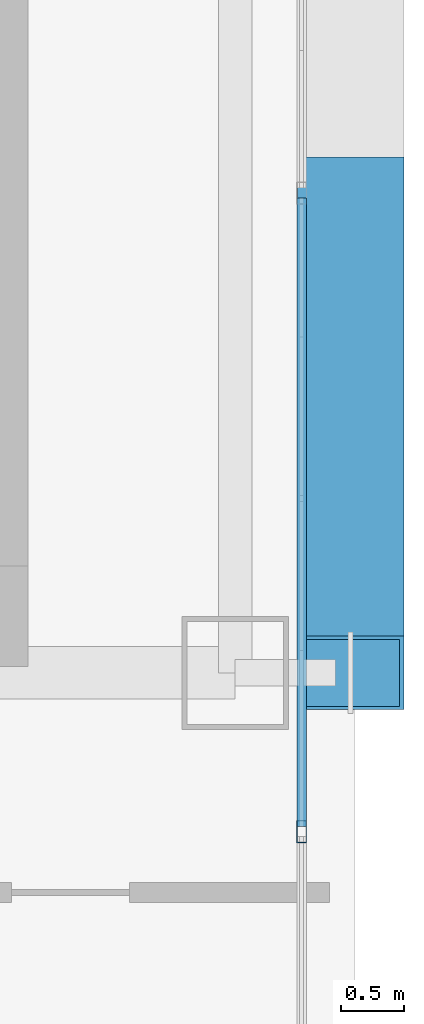
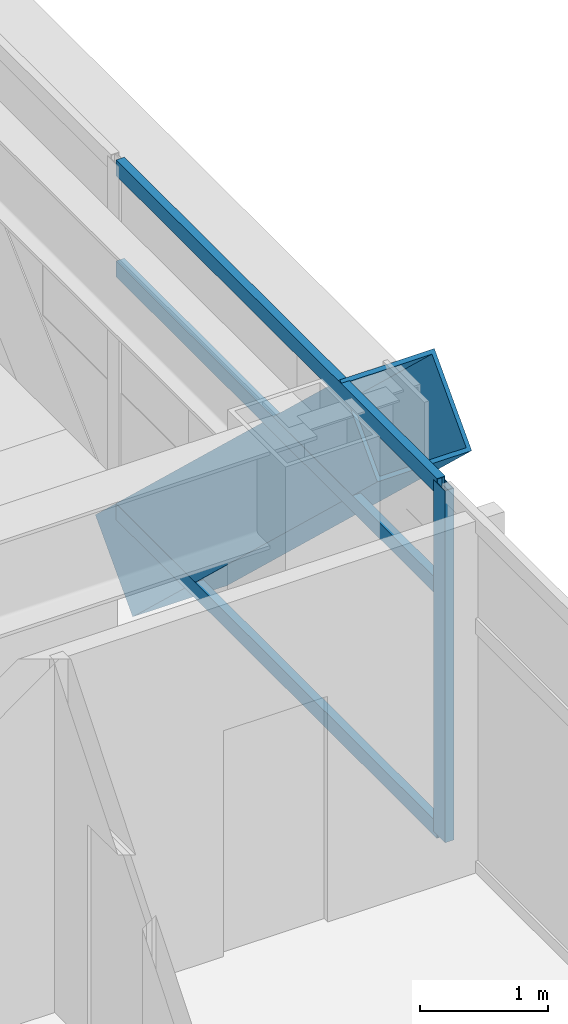
# One storey, part 14 of 41: 5 members, 1 element without a shape of its own.
"""IFC4 building model written with IfcOpenShell, lengths in metres."""

from ifc_helpers import new_model, si_unit, direction, frame, origin, origin_2d, place, context, subcontext, project, spatial, hollow_rectangle, extrude, source, transform, mapped, material, layer, layer_set, material_profile, profile_set, type_object, element, aggregate, save


model = new_model("IFC4")

# Units and contexts
model_context = context("Model", 3, precision=1e-05, world=origin(), true_north=direction((0.0, 1.0)))
body_context = subcontext(model_context, "Body", "Model", "MODEL_VIEW")
ifc_project = project(units=[si_unit("LENGTHUNIT", "METRE"), si_unit("AREAUNIT", "SQUARE_METRE"), si_unit("VOLUMEUNIT", "CUBIC_METRE"), si_unit("PLANEANGLEUNIT", "RADIAN"), si_unit("MASSUNIT", "GRAM", prefix="KILO")], contexts=[model_context])

# Site, building, storey
site_placement = place(None, origin())
site = spatial("IfcSite", under=ifc_project, at=site_placement, CompositionType="ELEMENT")
building_placement = place(site_placement, origin())
building = spatial("IfcBuilding", under=site, at=building_placement, Name="Ocotamira Hotel", CompositionType="ELEMENT")
storey_placement = place(building_placement, frame((0.0, 0.0, 38.39990234375)))
storey = spatial("IfcBuildingStorey", under=building, at=storey_placement, Name="L08", CompositionType="ELEMENT", Elevation=38.39990234375)

# Member
ifc_material_1 = material(Name="Pale-metal coated steel ASTM A913 Grade 65", Category="steel")
ifc_material_profile_1 = material_profile(ifc_material_1, hollow_rectangle(XDim=0.85009765625, YDim=0.85009765625, WallThickness=0.035888671875, at=origin_2d()), Name="BOX850X850X36")
ifc_profile_set_1 = profile_set([ifc_material_profile_1], Name="Pale-metal coated steel ASTM A913 Grade 65")
member_type_1 = type_object("IfcMemberType", Name="MEM-EXO-BOX850", PredefinedType="BRACE", material=ifc_profile_set_1)
shared_shape_1 = source(origin(), body_context, "Body", "SweptSolid", [
    extrude(hollow_rectangle(XDim=0.85009765625, YDim=0.85009765625, WallThickness=0.035888671875, at=origin_2d()), origin(), (0.0, 0.0, 1.0), 5.24658203125),
])
member_1_placement = place(storey_placement, frame((55.969970703125, 18.36669921875, -0.5), z_axis=(0.0, -0.727442733726, 0.686168397078), x_axis=(1.0, 0.0, 0.0)))
element("IfcMember", 1, at=member_1_placement, inside=storey, type_object=member_type_1, Name="L08 Exoskeleton Diagrid E0.1", PredefinedType="BRACE", context=body_context, shape_type="MappedRepresentation", body=[
    mapped(shared_shape_1, transform((0.0, 0.0, 0.0), scale=1.0)),
])

# Curtain wall, members
ifc_material_2 = material(Name="Anodised pale-metal aluminium and solar glass", Category="aluminium")
ifc_layer = layer(ifc_material_2, 0.179931640625)
ifc_layer_set = layer_set([ifc_layer], Name="Anodised pale-metal aluminium and solar glass")
curtain_wall_type = type_object("IfcCurtainWallType", Name="CW-SYS2-Z1", PredefinedType="NOTDEFINED", material=ifc_layer_set)
curtain_wall_placement = place(storey_placement, origin())
curtain_wall = element("IfcCurtainWall", 2, at=curtain_wall_placement, inside=storey, type_object=curtain_wall_type, Name="L08 Curtain Wall CW-2 CW-L08-E", PredefinedType="NOTDEFINED")
ifc_material_3 = material(Name="Anodised pale-metal aluminium 6063-T6", Category="aluminium")
ifc_material_profile_2 = material_profile(ifc_material_3, hollow_rectangle(XDim=0.074951171875, YDim=0.14990234375, WallThickness=0.006103515625, at=origin_2d()), Name="HSS150X75X6")
ifc_profile_set_2 = profile_set([ifc_material_profile_2], Name="Anodised pale-metal aluminium 6063-T6")
member_type_2 = type_object("IfcMemberType", Name="CWT-150X75", PredefinedType="USERDEFINED", material=ifc_profile_set_2)
shared_shape_2 = source(origin(), body_context, "Body", "SweptSolid", [
    extrude(hollow_rectangle(XDim=0.074951171875, YDim=0.14990234375, WallThickness=0.006103515625, at=origin_2d()), origin(), (0.0, 0.0, 1.0), 5.005859375),
])
member_2_placement = place(storey_placement, frame((55.580078125, 13.32568359375, 0.03759765625), z_axis=(0.0, 1.0, 0.0), x_axis=(-1.0, 0.0, 0.0)))
member_2 = element("IfcMember", 3, at=member_2_placement, type_object=member_type_2, Name="CW-2 transom 2.1", ObjectType="TRANSOM", PredefinedType="USERDEFINED", context=body_context, shape_type="MappedRepresentation", body=[
    mapped(shared_shape_2, transform((0.0, 0.0, 0.0), scale=1.0)),
])
member_3_placement = place(storey_placement, frame((55.580078125, 13.32568359375, 2.35009765625), z_axis=(0.0, 1.0, 0.0), x_axis=(-1.0, 0.0, 0.0)))
member_3 = element("IfcMember", 4, at=member_3_placement, type_object=member_type_2, Name="CW-2 transom 2.2", ObjectType="TRANSOM", PredefinedType="USERDEFINED", context=body_context, shape_type="MappedRepresentation", body=[
    mapped(shared_shape_2, transform((0.0, 0.0, 0.0), scale=1.0)),
])
member_4_placement = place(storey_placement, frame((55.580078125, 13.32568359375, 3.3125), z_axis=(0.0, 1.0, 0.0), x_axis=(-1.0, 0.0, 0.0)))
member_4 = element("IfcMember", 5, at=member_4_placement, type_object=member_type_2, Name="CW-2 transom 2.3", ObjectType="TRANSOM", PredefinedType="USERDEFINED", context=body_context, shape_type="MappedRepresentation", body=[
    mapped(shared_shape_2, transform((0.0, 0.0, 0.0), scale=1.0)),
])
ifc_material_profile_3 = material_profile(ifc_material_3, hollow_rectangle(XDim=0.080078125, YDim=0.179931640625, WallThickness=0.006103515625, at=origin_2d()), Name="HSS180X80X6")
ifc_profile_set_3 = profile_set([ifc_material_profile_3], Name="Anodised pale-metal aluminium 6063-T6")
member_type_3 = type_object("IfcMemberType", Name="CWM-180X75", PredefinedType="MULLION", material=ifc_profile_set_3)
shared_shape_3 = source(origin(), body_context, "Body", "SweptSolid", [
    extrude(hollow_rectangle(XDim=0.080078125, YDim=0.179931640625, WallThickness=0.006103515625, at=origin_2d()), origin(), (0.0, 0.0, 1.0), 3.35009765625),
])
member_5_placement = place(storey_placement, frame((55.580078125, 13.28564453125, 0.0), z_axis=(0.0, 0.0, 1.0), x_axis=(-1.0, 0.0, 0.0)))
member_5 = element("IfcMember", 6, at=member_5_placement, type_object=member_type_3, Name="CW-2 mullion 2", PredefinedType="MULLION", context=body_context, shape_type="MappedRepresentation", body=[
    mapped(shared_shape_3, transform((0.0, 0.0, 0.0), scale=1.0)),
])
aggregate(curtain_wall, [member_5, member_2, member_3, member_4])

save(model, "model.ifc")
